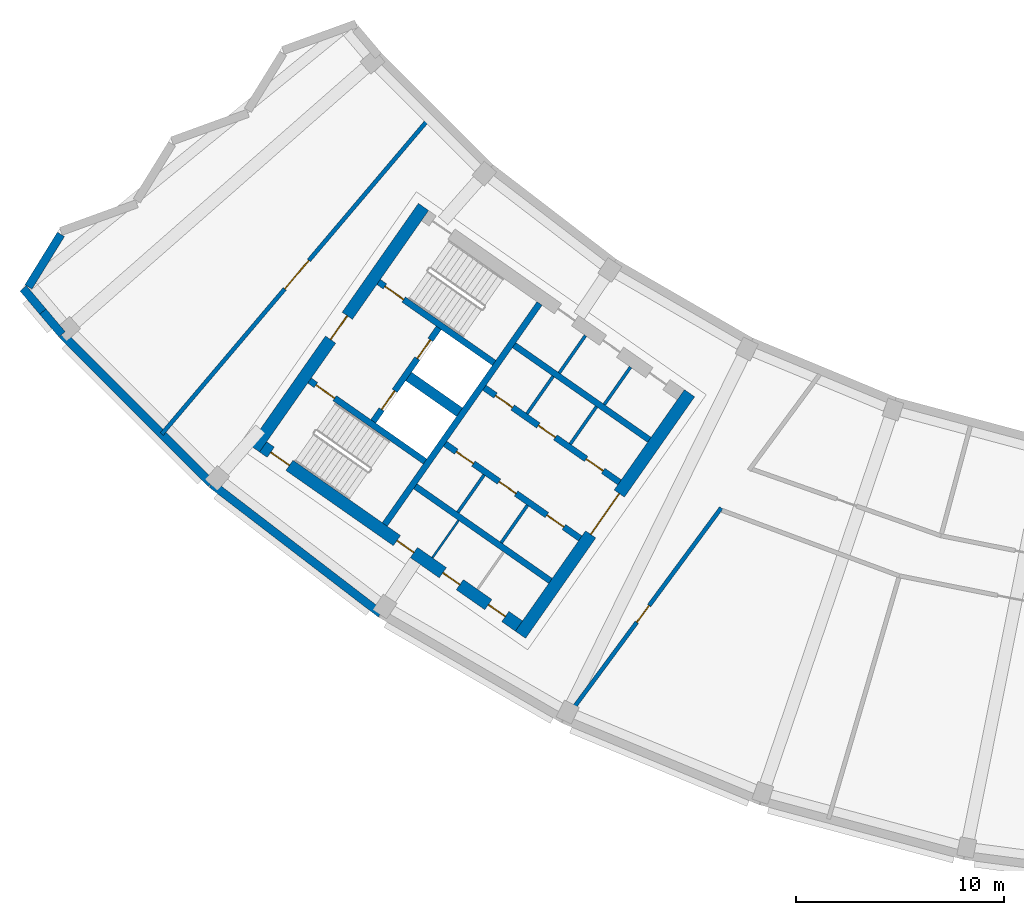
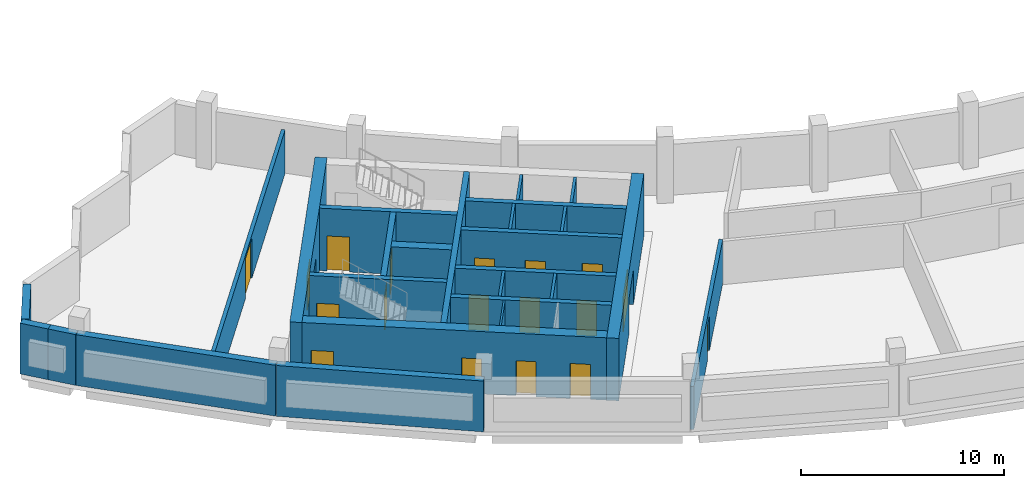
# One storey, part 3 of 11: 26 walls, 18 doors, 18 openings.
"""IFC4 building model written with IfcOpenShell, lengths in metres."""

from ifc_helpers import new_model, si_unit, direction, frame, frame_2d, origin, place, context, subcontext, project, spatial, rectangle, extrude, material, layer, layer_set, type_object, element, fill, save


model = new_model("IFC4")

# Units and contexts
model_context = context("Model", 3, precision=1e-05, world=origin(), true_north=direction((0.0, 1.0)))
body_context = subcontext(model_context, "Body", "Model", "MODEL_VIEW")
ifc_project = project(units=[si_unit("LENGTHUNIT", "METRE"), si_unit("AREAUNIT", "SQUARE_METRE"), si_unit("VOLUMEUNIT", "CUBIC_METRE"), si_unit("PLANEANGLEUNIT", "RADIAN"), si_unit("MASSUNIT", "GRAM", prefix="KILO")], contexts=[model_context])

# Site, building, storey
site_placement = place(None, origin())
site = spatial("IfcSite", under=ifc_project, at=site_placement, CompositionType="ELEMENT")
building_placement = place(site_placement, origin())
building = spatial("IfcBuilding", under=site, at=building_placement, Name="Qamariyya Broadcast Tower", CompositionType="ELEMENT")
storey_placement = place(building_placement, frame((0.0, 0.0, 294.699951171875)))
storey = spatial("IfcBuildingStorey", under=building, at=storey_placement, Name="L71", CompositionType="ELEMENT", Elevation=294.699951171875)

# Wall, opening, door
ifc_material_1 = material(Name="Concrete C60/75", Category="concrete")
ifc_layer_1 = layer(ifc_material_1, 0.60009765625)
ifc_layer_set_1 = layer_set([ifc_layer_1], Name="Core wall 600 mm Concrete C60/75")
wall_type_1 = type_object("IfcWallType", Name="Core wall 600 mm Concrete C60/75", PredefinedType="SHEAR", material=ifc_layer_set_1)
wall_1_placement = place(storey_placement, frame((-36.66748046875, -66.005126953125, 0.0), z_axis=(0.0, 0.0, 1.0), x_axis=(0.573568499524, 0.819157601658, 0.0)))
wall_1 = element("IfcWall", 1, at=wall_1_placement, inside=storey, type_object=wall_type_1, Name="k-W-L71-WA", PredefinedType="SHEAR", context=body_context, shape_type="SweptSolid", body=[
    extrude(rectangle(XDim=14.19970703125, YDim=0.60009765625, at=frame_2d((7.099853515625, 0.0))), origin(), (0.0, 0.0, 1.0), 3.75),
])
opening_1_placement = place(wall_1_placement, frame((5.89990234375, 0.0, 0.0)))
opening_1 = element("IfcOpeningElement", 2, at=opening_1_placement, cuts=wall_1, Name="Opening KD3-W1", PredefinedType="OPENING", context=body_context, shape_type="SweptSolid", body=[
    extrude(rectangle(XDim=2.39990234375, YDim=2.10009765625, at=frame_2d((1.199951171875, 1.050048828125))), frame((0.0, 0.31005859375, 0.0), z_axis=(0.0, -1.0, 0.0), x_axis=(1.0, 0.0, 0.0)), (0.0, 0.0, 1.0), 0.6201171875),
])
ifc_material_2 = material(Name="Steel fire-resisting door leaf", Category="steel")
door_type_1 = type_object("IfcDoorType", Name="Lift lobby door KD3", OperationType="DOUBLE_DOOR_SINGLE_SWING", PredefinedType="DOOR", material=ifc_material_2)
door_1_placement = place(opening_1_placement, origin())
door_1 = element("IfcDoor", 3, at=door_1_placement, inside=storey, type_object=door_type_1, Name="k-W-L71-WA-D1", OperationType="DOUBLE_DOOR_SINGLE_SWING", OverallHeight=2.10009765625, OverallWidth=2.39990234375, PredefinedType="DOOR", context=body_context, shape_type="SweptSolid", body=[
    extrude(rectangle(XDim=2.39990234375, YDim=2.10009765625, at=frame_2d((1.199951171875, 1.050048828125))), frame((0.0, 0.02490234375, 0.0), z_axis=(0.0, -1.0, 0.0), x_axis=(1.0, 0.0, 0.0)), (0.0, 0.0, 1.0), 0.050048828125),
])
fill(opening_1, door_1)

wall_2_placement = place(storey_placement, frame((-49.4833984375, -57.031494140625, 0.0), z_axis=(0.0, 0.0, 1.0), x_axis=(0.573560421458, 0.819163257805, 0.0)))
wall_2 = element("IfcWall", 4, at=wall_2_placement, inside=storey, type_object=wall_type_1, Name="k-W-L71-WH", PredefinedType="SHEAR", context=body_context, shape_type="SweptSolid", body=[
    extrude(rectangle(XDim=14.199951171875, YDim=0.60009765625, at=frame_2d((7.10009765625, 0.0))), origin(), (0.0, 0.0, 1.0), 3.75),
])
opening_2_placement = place(wall_2_placement, frame((6.39990234375, 0.0, 0.0)))
opening_2 = element("IfcOpeningElement", 5, at=opening_2_placement, cuts=wall_2, Name="Opening KD2-W1", PredefinedType="OPENING", context=body_context, shape_type="SweptSolid", body=[
    extrude(rectangle(XDim=1.39990234375, YDim=2.10009765625, at=frame_2d((0.699951171875, 1.050048828125))), frame((0.0, 0.31005859375, 0.0), z_axis=(0.0, -1.0, 0.0), x_axis=(1.0, 0.0, 0.0)), (0.0, 0.0, 1.0), 0.6201171875),
])
door_type_2 = type_object("IfcDoorType", Name="Fire-fighting lobby door KD2", OperationType="DOUBLE_DOOR_SINGLE_SWING", PredefinedType="DOOR", material=ifc_material_2)
door_2_placement = place(opening_2_placement, origin())
door_2 = element("IfcDoor", 6, at=door_2_placement, inside=storey, type_object=door_type_2, Name="k-W-L71-WH-D16", OperationType="DOUBLE_DOOR_SINGLE_SWING", OverallHeight=2.10009765625, OverallWidth=1.39990234375, PredefinedType="DOOR", context=body_context, shape_type="SweptSolid", body=[
    extrude(rectangle(XDim=1.39990234375, YDim=2.10009765625, at=frame_2d((0.699951171875, 1.050048828125))), frame((0.0, 0.02490234375, 0.0), z_axis=(0.0, -1.0, 0.0), x_axis=(1.0, 0.0, 0.0)), (0.0, 0.0, 1.0), 0.050048828125),
])
fill(opening_2, door_2)

# Wall, openings, doors
wall_3_placement = place(storey_placement, frame((-36.7412109375, -65.58740234375, 0.0), z_axis=(0.0, 0.0, 1.0), x_axis=(-0.819153391756, 0.573574511963, 0.0)))
wall_3 = element("IfcWall", 7, at=wall_3_placement, inside=storey, type_object=wall_type_1, Name="k-W-L71-WO", PredefinedType="SHEAR", context=body_context, shape_type="SweptSolid", body=[
    extrude(rectangle(XDim=15.04541015625, YDim=0.60009765625, at=frame_2d((7.522705078125, 0.0))), origin(), (0.0, 0.0, 1.0), 3.75),
])
opening_3_placement = place(wall_3_placement, frame((0.800048828125, 0.0, 0.0)))
opening_3 = element("IfcOpeningElement", 8, at=opening_3_placement, cuts=wall_3, Name="Opening KD4-W10", PredefinedType="OPENING", context=body_context, shape_type="SweptSolid", body=[
    extrude(rectangle(XDim=1.0, YDim=2.10009765625, at=frame_2d((0.5, 1.050048828125))), frame((0.0, 0.31005859375, 0.0), z_axis=(0.0, -1.0, 0.0), x_axis=(1.0, 0.0, 0.0)), (0.0, 0.0, 1.0), 0.6201171875),
])
opening_4_placement = place(wall_3_placement, frame((3.47509765625, 0.0, 0.0)))
opening_4 = element("IfcOpeningElement", 9, at=opening_4_placement, cuts=wall_3, Name="Opening KD4-W11", PredefinedType="OPENING", context=body_context, shape_type="SweptSolid", body=[
    extrude(rectangle(XDim=1.0, YDim=2.10009765625, at=frame_2d((0.5, 1.050048828125))), frame((0.0, 0.31005859375, 0.0), z_axis=(0.0, -1.0, 0.0), x_axis=(1.0, 0.0, 0.0)), (0.0, 0.0, 1.0), 0.6201171875),
])
opening_5_placement = place(wall_3_placement, frame((6.175048828125, 0.0, 0.0)))
opening_5 = element("IfcOpeningElement", 10, at=opening_5_placement, cuts=wall_3, Name="Opening KD4-W12", PredefinedType="OPENING", context=body_context, shape_type="SweptSolid", body=[
    extrude(rectangle(XDim=1.0, YDim=2.10009765625, at=frame_2d((0.5, 1.050048828125))), frame((0.0, 0.31005859375, 0.0), z_axis=(0.0, -1.0, 0.0), x_axis=(1.0, 0.0, 0.0)), (0.0, 0.0, 1.0), 0.6201171875),
])
opening_6_placement = place(wall_3_placement, frame((13.495361328125, 0.0, 0.0)))
opening_6 = element("IfcOpeningElement", 11, at=opening_6_placement, cuts=wall_3, Name="Opening KD1-W3", PredefinedType="OPENING", context=body_context, shape_type="SweptSolid", body=[
    extrude(rectangle(XDim=1.10009765625, YDim=2.10009765625, at=frame_2d((0.550048828125, 1.050048828125))), frame((0.0, 0.31005859375, 0.0), z_axis=(0.0, -1.0, 0.0), x_axis=(1.0, 0.0, 0.0)), (0.0, 0.0, 1.0), 0.6201171875),
])
door_type_3 = type_object("IfcDoorType", Name="Riser and plant door KD4", OperationType="SINGLE_SWING_LEFT", PredefinedType="DOOR", material=ifc_material_2)
door_3_placement = place(opening_3_placement, origin())
door_3 = element("IfcDoor", 12, at=door_3_placement, inside=storey, type_object=door_type_3, Name="k-W-L71-WO-D11", OperationType="SINGLE_SWING_RIGHT", OverallHeight=2.10009765625, OverallWidth=1.0, PredefinedType="DOOR", context=body_context, shape_type="SweptSolid", body=[
    extrude(rectangle(XDim=1.0, YDim=2.10009765625, at=frame_2d((0.5, 1.050048828125))), frame((0.0, 0.02490234375, 0.0), z_axis=(0.0, -1.0, 0.0), x_axis=(1.0, 0.0, 0.0)), (0.0, 0.0, 1.0), 0.050048828125),
])
fill(opening_3, door_3)
door_4_placement = place(opening_4_placement, origin())
door_4 = element("IfcDoor", 13, at=door_4_placement, inside=storey, type_object=door_type_3, Name="k-W-L71-WO-D12", OperationType="SINGLE_SWING_LEFT", OverallHeight=2.10009765625, OverallWidth=1.0, PredefinedType="DOOR", context=body_context, shape_type="SweptSolid", body=[
    extrude(rectangle(XDim=1.0, YDim=2.10009765625, at=frame_2d((0.5, 1.050048828125))), frame((0.0, 0.02490234375, 0.0), z_axis=(0.0, -1.0, 0.0), x_axis=(1.0, 0.0, 0.0)), (0.0, 0.0, 1.0), 0.050048828125),
])
fill(opening_4, door_4)
door_5_placement = place(opening_5_placement, origin())
door_5 = element("IfcDoor", 14, at=door_5_placement, inside=storey, type_object=door_type_3, Name="k-W-L71-WO-D13", OperationType="SINGLE_SWING_RIGHT", OverallHeight=2.10009765625, OverallWidth=1.0, PredefinedType="DOOR", context=body_context, shape_type="SweptSolid", body=[
    extrude(rectangle(XDim=1.0, YDim=2.10009765625, at=frame_2d((0.5, 1.050048828125))), frame((0.0, 0.02490234375, 0.0), z_axis=(0.0, -1.0, 0.0), x_axis=(1.0, 0.0, 0.0)), (0.0, 0.0, 1.0), 0.050048828125),
])
fill(opening_5, door_5)
door_type_4 = type_object("IfcDoorType", Name="Stair door KD1", OperationType="SINGLE_SWING_LEFT", PredefinedType="DOOR", material=ifc_material_2)
door_6_placement = place(opening_6_placement, origin())
door_6 = element("IfcDoor", 15, at=door_6_placement, inside=storey, type_object=door_type_4, Name="k-W-L71-WO-D19", OperationType="SINGLE_SWING_LEFT", OverallHeight=2.10009765625, OverallWidth=1.10009765625, PredefinedType="DOOR", context=body_context, shape_type="SweptSolid", body=[
    extrude(rectangle(XDim=1.10009765625, YDim=2.10009765625, at=frame_2d((0.550048828125, 1.050048828125))), frame((0.0, 0.02490234375, 0.0), z_axis=(0.0, -1.0, 0.0), x_axis=(1.0, 0.0, 0.0)), (0.0, 0.0, 1.0), 0.050048828125),
])
fill(opening_6, door_6)

# Walls
ifc_layer_2 = layer(ifc_material_1, 0.5)
ifc_layer_set_2 = layer_set([ifc_layer_2], Name="Fire-fighting lobby divider wall 500 mm Concrete C60/75")
wall_type_2 = type_object("IfcWallType", Name="Fire-fighting lobby divider wall 500 mm Concrete C60/75", PredefinedType="SOLIDWALL", material=ifc_layer_set_2)
wall_4_placement = place(storey_placement, frame((-39.59912109375, -55.28515625, 0.0), z_axis=(0.0, 0.0, 1.0), x_axis=(-0.819136323161, 0.573598887793, 0.0)))
element("IfcWall", 16, at=wall_4_placement, inside=storey, type_object=wall_type_2, Name="k-W-L71-FD", PredefinedType="SOLIDWALL", context=body_context, shape_type="SweptSolid", body=[
    extrude(rectangle(XDim=2.999755859375, YDim=0.5, at=frame_2d((1.5, 0.0))), origin(), (0.0, 0.0, 1.0), 3.75),
])
ifc_material_3 = material(Name="Gypsum board partition on steel studs", Category="steel")
ifc_layer_3 = layer(ifc_material_3, 0.14990234375)
ifc_layer_set_3 = layer_set([ifc_layer_3], Name="Gypsum board partition 150 mm")
wall_type_3 = type_object("IfcWallType", Name="Gypsum board partition 150 mm", PredefinedType="PARTITIONING", material=ifc_layer_set_3)
for number, where, z_axis, x_axis, name in (
    (17, (-34.26611328125, -56.822021484375, 0.0), (0.0, 0.0, 1.0), (0.573581496053, 0.819148501424, 0.0), "k-W-L71-NC300"),
    (18, (-36.35498046875, -55.359375, 0.0), (0.0, 0.0, 1.0), (0.573581496053, 0.819148501424, 0.0), "k-W-L71-NC555"),
):
    element("IfcWall", number, at=place(storey_placement, frame(where, z_axis=z_axis, x_axis=x_axis)), inside=storey, type_object=wall_type_3, Name=name, PredefinedType="PARTITIONING", context=body_context, shape_type="SweptSolid", body=[
        extrude(rectangle(XDim=2.2001953125, YDim=0.14990234375, at=frame_2d((1.10009765625, 0.0))), origin(), (0.0, 0.0, 1.0), 3.75),
    ])
for number, where, z_axis, x_axis, name in (
    (19, (-36.330810546875, -59.77099609375, 0.0), (0.0, 0.0, 1.0), (-0.573633636671, -0.819111989218, 0.0), "k-W-L71-SC300"),
    (20, (-38.419677734375, -58.308349609375, 0.0), (0.0, 0.0, 1.0), (-0.573633636671, -0.819111989218, 0.0), "k-W-L71-SC555"),
    (21, (-32.627197265625, -54.91748046875, 0.0), (0.0, 0.0, 1.0), (0.573507030513, 0.819200638399, 0.0), "k-W-L71-NP275"),
    (22, (-34.798095703125, -53.3974609375, 0.0), (0.0, 0.0, 1.0), (0.573633636671, 0.819111989218, 0.0), "k-W-L71-NP540"),
):
    element("IfcWall", number, at=place(storey_placement, frame(where, z_axis=z_axis, x_axis=x_axis)), inside=storey, type_object=wall_type_3, Name=name, PredefinedType="PARTITIONING", context=body_context, shape_type="SweptSolid", body=[
        extrude(rectangle(XDim=2.199951171875, YDim=0.14990234375, at=frame_2d((1.10009765625, 0.0))), origin(), (0.0, 0.0, 1.0), 3.75),
    ])
ifc_layer_4 = layer(ifc_material_1, 0.300048828125)
ifc_layer_set_4 = layer_set([ifc_layer_4], Name="Lift shaft wall 300 mm Concrete C60/75")
wall_type_4 = type_object("IfcWallType", Name="Lift shaft wall 300 mm Concrete C60/75", PredefinedType="SOLIDWALL", material=ifc_layer_set_4)
wall_5_placement = place(storey_placement, frame((-43.204345703125, -60.69580078125, 0.0), z_axis=(0.0, 0.0, 1.0), x_axis=(0.573571992966, 0.819155155563, 0.0)))
element("IfcWall", 23, at=wall_5_placement, inside=storey, type_object=wall_type_4, Name="k-W-L71-WL", PredefinedType="SOLIDWALL", context=body_context, shape_type="SweptSolid", body=[
    extrude(rectangle(XDim=13.000244140625, YDim=0.300048828125, at=frame_2d((6.5, 0.0))), origin(), (0.0, 0.0, 1.0), 3.75),
])

# Wall, openings, doors
wall_6_placement = place(storey_placement, frame((-31.89453125, -58.66552734375, 0.0), z_axis=(0.0, 0.0, 1.0), x_axis=(-0.819166993208, 0.573555086491, 0.0)))
wall_6 = element("IfcWall", 24, at=wall_6_placement, inside=storey, type_object=wall_type_4, Name="k-W-L71-NF0", PredefinedType="SOLIDWALL", context=body_context, shape_type="SweptSolid", body=[
    extrude(rectangle(XDim=7.9501953125, YDim=0.300048828125, at=frame_2d((3.97509765625, 0.0))), origin(), (0.0, 0.0, 1.0), 3.75),
])
opening_7_placement = place(wall_6_placement, frame((0.96240234375, 0.0, 0.0)))
opening_7 = element("IfcOpeningElement", 25, at=opening_7_placement, cuts=wall_6, Name="Opening KD4-W1", PredefinedType="OPENING", context=body_context, shape_type="SweptSolid", body=[
    extrude(rectangle(XDim=1.0, YDim=2.10009765625, at=frame_2d((0.5, 1.050048828125))), frame((0.0, 0.159912109375, 0.0), z_axis=(0.0, -1.0, 0.0), x_axis=(1.0, 0.0, 0.0)), (0.0, 0.0, 1.0), 0.320068359375),
])
opening_8_placement = place(wall_6_placement, frame((3.77490234375, 0.0, 0.0)))
opening_8 = element("IfcOpeningElement", 26, at=opening_8_placement, cuts=wall_6, Name="Opening KD4-W2", PredefinedType="OPENING", context=body_context, shape_type="SweptSolid", body=[
    extrude(rectangle(XDim=1.0, YDim=2.10009765625, at=frame_2d((0.5, 1.050048828125))), frame((0.0, 0.159912109375, 0.0), z_axis=(0.0, -1.0, 0.0), x_axis=(1.0, 0.0, 0.0)), (0.0, 0.0, 1.0), 0.320068359375),
])
opening_9_placement = place(wall_6_placement, frame((6.28759765625, 0.0, 0.0)))
opening_9 = element("IfcOpeningElement", 27, at=opening_9_placement, cuts=wall_6, Name="Opening KD4-W3", PredefinedType="OPENING", context=body_context, shape_type="SweptSolid", body=[
    extrude(rectangle(XDim=1.0, YDim=2.10009765625, at=frame_2d((0.5, 1.050048828125))), frame((0.0, 0.159912109375, 0.0), z_axis=(0.0, -1.0, 0.0), x_axis=(1.0, 0.0, 0.0)), (0.0, 0.0, 1.0), 0.320068359375),
])
door_7_placement = place(opening_7_placement, origin())
door_7 = element("IfcDoor", 28, at=door_7_placement, inside=storey, type_object=door_type_3, Name="k-W-L71-NF0-D2", OperationType="SINGLE_SWING_LEFT", OverallHeight=2.10009765625, OverallWidth=1.0, PredefinedType="DOOR", context=body_context, shape_type="SweptSolid", body=[
    extrude(rectangle(XDim=1.0, YDim=2.10009765625, at=frame_2d((0.5, 1.050048828125))), frame((0.0, 0.02490234375, 0.0), z_axis=(0.0, -1.0, 0.0), x_axis=(1.0, 0.0, 0.0)), (0.0, 0.0, 1.0), 0.050048828125),
])
fill(opening_7, door_7)
door_8_placement = place(opening_8_placement, origin())
door_8 = element("IfcDoor", 29, at=door_8_placement, inside=storey, type_object=door_type_3, Name="k-W-L71-NF0-D3", OperationType="SINGLE_SWING_RIGHT", OverallHeight=2.10009765625, OverallWidth=1.0, PredefinedType="DOOR", context=body_context, shape_type="SweptSolid", body=[
    extrude(rectangle(XDim=1.0, YDim=2.10009765625, at=frame_2d((0.5, 1.050048828125))), frame((0.0, 0.02490234375, 0.0), z_axis=(0.0, -1.0, 0.0), x_axis=(1.0, 0.0, 0.0)), (0.0, 0.0, 1.0), 0.050048828125),
])
fill(opening_8, door_8)
door_9_placement = place(opening_9_placement, origin())
door_9 = element("IfcDoor", 30, at=door_9_placement, inside=storey, type_object=door_type_3, Name="k-W-L71-NF0-D4", OperationType="SINGLE_SWING_LEFT", OverallHeight=2.10009765625, OverallWidth=1.0, PredefinedType="DOOR", context=body_context, shape_type="SweptSolid", body=[
    extrude(rectangle(XDim=1.0, YDim=2.10009765625, at=frame_2d((0.5, 1.050048828125))), frame((0.0, 0.02490234375, 0.0), z_axis=(0.0, -1.0, 0.0), x_axis=(1.0, 0.0, 0.0)), (0.0, 0.0, 1.0), 0.050048828125),
])
fill(opening_9, door_9)

# Wall
wall_7_placement = place(storey_placement, frame((-30.460693359375, -56.61767578125, 0.0), z_axis=(0.0, 0.0, 1.0), x_axis=(-0.819142461705, 0.573590121456, 0.0)))
element("IfcWall", 31, at=wall_7_placement, inside=storey, type_object=wall_type_4, Name="k-W-L71-NB0", PredefinedType="SOLIDWALL", context=body_context, shape_type="SweptSolid", body=[
    extrude(rectangle(XDim=7.949951171875, YDim=0.300048828125, at=frame_2d((3.97509765625, 0.0))), origin(), (0.0, 0.0, 1.0), 3.75),
])

# Wall, openings, doors
wall_8_placement = place(storey_placement, frame((-33.787353515625, -61.368896484375, 0.0), z_axis=(0.0, 0.0, 1.0), x_axis=(-0.819152564888, 0.573575692858, 0.0)))
wall_8 = element("IfcWall", 32, at=wall_8_placement, inside=storey, type_object=wall_type_4, Name="k-W-L71-SF0", PredefinedType="SOLIDWALL", context=body_context, shape_type="SweptSolid", body=[
    extrude(rectangle(XDim=7.9501953125, YDim=0.300048828125, at=frame_2d((3.97509765625, 0.0))), origin(), (0.0, 0.0, 1.0), 3.75),
])
opening_10_placement = place(wall_8_placement, frame((0.96240234375, 0.0, 0.0)))
opening_10 = element("IfcOpeningElement", 33, at=opening_10_placement, cuts=wall_8, Name="Opening KD4-W4", PredefinedType="OPENING", context=body_context, shape_type="SweptSolid", body=[
    extrude(rectangle(XDim=1.0, YDim=2.10009765625, at=frame_2d((0.5, 1.050048828125))), frame((0.0, 0.159912109375, 0.0), z_axis=(0.0, -1.0, 0.0), x_axis=(1.0, 0.0, 0.0)), (0.0, 0.0, 1.0), 0.320068359375),
])
opening_11_placement = place(wall_8_placement, frame((3.77490234375, 0.0, 0.0)))
opening_11 = element("IfcOpeningElement", 34, at=opening_11_placement, cuts=wall_8, Name="Opening KD4-W5", PredefinedType="OPENING", context=body_context, shape_type="SweptSolid", body=[
    extrude(rectangle(XDim=1.0, YDim=2.10009765625, at=frame_2d((0.5, 1.050048828125))), frame((0.0, 0.159912109375, 0.0), z_axis=(0.0, -1.0, 0.0), x_axis=(1.0, 0.0, 0.0)), (0.0, 0.0, 1.0), 0.320068359375),
])
opening_12_placement = place(wall_8_placement, frame((6.28759765625, 0.0, 0.0)))
opening_12 = element("IfcOpeningElement", 35, at=opening_12_placement, cuts=wall_8, Name="Opening KD4-W6", PredefinedType="OPENING", context=body_context, shape_type="SweptSolid", body=[
    extrude(rectangle(XDim=1.0, YDim=2.10009765625, at=frame_2d((0.5, 1.050048828125))), frame((0.0, 0.159912109375, 0.0), z_axis=(0.0, -1.0, 0.0), x_axis=(1.0, 0.0, 0.0)), (0.0, 0.0, 1.0), 0.320068359375),
])
door_10_placement = place(opening_10_placement, origin())
door_10 = element("IfcDoor", 36, at=door_10_placement, inside=storey, type_object=door_type_3, Name="k-W-L71-SF0-D5", OperationType="SINGLE_SWING_RIGHT", OverallHeight=2.10009765625, OverallWidth=1.0, PredefinedType="DOOR", context=body_context, shape_type="SweptSolid", body=[
    extrude(rectangle(XDim=1.0, YDim=2.10009765625, at=frame_2d((0.5, 1.050048828125))), frame((0.0, 0.02490234375, 0.0), z_axis=(0.0, -1.0, 0.0), x_axis=(1.0, 0.0, 0.0)), (0.0, 0.0, 1.0), 0.050048828125),
])
fill(opening_10, door_10)
door_11_placement = place(opening_11_placement, origin())
door_11 = element("IfcDoor", 37, at=door_11_placement, inside=storey, type_object=door_type_3, Name="k-W-L71-SF0-D6", OperationType="SINGLE_SWING_LEFT", OverallHeight=2.10009765625, OverallWidth=1.0, PredefinedType="DOOR", context=body_context, shape_type="SweptSolid", body=[
    extrude(rectangle(XDim=1.0, YDim=2.10009765625, at=frame_2d((0.5, 1.050048828125))), frame((0.0, 0.02490234375, 0.0), z_axis=(0.0, -1.0, 0.0), x_axis=(1.0, 0.0, 0.0)), (0.0, 0.0, 1.0), 0.050048828125),
])
fill(opening_11, door_11)
door_12_placement = place(opening_12_placement, origin())
door_12 = element("IfcDoor", 38, at=door_12_placement, inside=storey, type_object=door_type_3, Name="k-W-L71-SF0-D7", OperationType="SINGLE_SWING_RIGHT", OverallHeight=2.10009765625, OverallWidth=1.0, PredefinedType="DOOR", context=body_context, shape_type="SweptSolid", body=[
    extrude(rectangle(XDim=1.0, YDim=2.10009765625, at=frame_2d((0.5, 1.050048828125))), frame((0.0, 0.02490234375, 0.0), z_axis=(0.0, -1.0, 0.0), x_axis=(1.0, 0.0, 0.0)), (0.0, 0.0, 1.0), 0.050048828125),
])
fill(opening_12, door_12)

# Wall
wall_9_placement = place(storey_placement, frame((-35.22119140625, -63.41650390625, 0.0), z_axis=(0.0, 0.0, 1.0), x_axis=(-0.819166993208, 0.573555086491, 0.0)))
element("IfcWall", 39, at=wall_9_placement, inside=storey, type_object=wall_type_4, Name="k-W-L71-SB0", PredefinedType="SOLIDWALL", context=body_context, shape_type="SweptSolid", body=[
    extrude(rectangle(XDim=7.9501953125, YDim=0.300048828125, at=frame_2d((3.97509765625, 0.0))), origin(), (0.0, 0.0, 1.0), 3.75),
])

# Wall, opening, door
wall_10_placement = place(storey_placement, frame((-37.935546875, -52.90966796875, 0.0), z_axis=(0.0, 0.0, 1.0), x_axis=(-0.819147518138, 0.57358290031, 0.0)))
wall_10 = element("IfcWall", 40, at=wall_10_placement, inside=storey, type_object=wall_type_4, Name="k-W-L71-NW", PredefinedType="SOLIDWALL", context=body_context, shape_type="SweptSolid", body=[
    extrude(rectangle(XDim=6.79541015625, YDim=0.300048828125, at=frame_2d((3.397705078125, 0.0))), origin(), (0.0, 0.0, 1.0), 3.75),
])
opening_13_placement = place(wall_10_placement, frame((5.3203125, 0.0, 0.0)))
opening_13 = element("IfcOpeningElement", 41, at=opening_13_placement, cuts=wall_10, Name="Opening KD1-W2", PredefinedType="OPENING", context=body_context, shape_type="SweptSolid", body=[
    extrude(rectangle(XDim=1.10009765625, YDim=2.10009765625, at=frame_2d((0.550048828125, 1.050048828125))), frame((0.0, 0.159912109375, 0.0), z_axis=(0.0, -1.0, 0.0), x_axis=(1.0, 0.0, 0.0)), (0.0, 0.0, 1.0), 0.320068359375),
])
door_13_placement = place(opening_13_placement, origin())
door_13 = element("IfcDoor", 42, at=door_13_placement, inside=storey, type_object=door_type_4, Name="k-W-L71-NW-D18", OperationType="SINGLE_SWING_LEFT", OverallHeight=2.10009765625, OverallWidth=1.10009765625, PredefinedType="DOOR", context=body_context, shape_type="SweptSolid", body=[
    extrude(rectangle(XDim=1.10009765625, YDim=2.10009765625, at=frame_2d((0.550048828125, 1.050048828125))), frame((0.0, 0.02490234375, 0.0), z_axis=(0.0, -1.0, 0.0), x_axis=(1.0, 0.0, 0.0)), (0.0, 0.0, 1.0), 0.050048828125),
])
fill(opening_13, door_13)

wall_11_placement = place(storey_placement, frame((-41.262451171875, -57.66064453125, 0.0), z_axis=(0.0, 0.0, 1.0), x_axis=(-0.819164398642, 0.573558792102, 0.0)))
wall_11 = element("IfcWall", 43, at=wall_11_placement, inside=storey, type_object=wall_type_4, Name="k-W-L71-SW", PredefinedType="SOLIDWALL", context=body_context, shape_type="SweptSolid", body=[
    extrude(rectangle(XDim=6.795166015625, YDim=0.300048828125, at=frame_2d((3.3974609375, 0.0))), origin(), (0.0, 0.0, 1.0), 3.75),
])
opening_14_placement = place(wall_11_placement, frame((5.3203125, 0.0, 0.0)))
opening_14 = element("IfcOpeningElement", 44, at=opening_14_placement, cuts=wall_11, Name="Opening KD1-W4", PredefinedType="OPENING", context=body_context, shape_type="SweptSolid", body=[
    extrude(rectangle(XDim=1.10009765625, YDim=2.10009765625, at=frame_2d((0.550048828125, 1.050048828125))), frame((0.0, 0.159912109375, 0.0), z_axis=(0.0, -1.0, 0.0), x_axis=(1.0, 0.0, 0.0)), (0.0, 0.0, 1.0), 0.320068359375),
])
door_14_placement = place(opening_14_placement, origin())
door_14 = element("IfcDoor", 45, at=door_14_placement, inside=storey, type_object=door_type_4, Name="k-W-L71-SW-D20", OperationType="SINGLE_SWING_LEFT", OverallHeight=2.10009765625, OverallWidth=1.10009765625, PredefinedType="DOOR", context=body_context, shape_type="SweptSolid", body=[
    extrude(rectangle(XDim=1.10009765625, YDim=2.10009765625, at=frame_2d((0.550048828125, 1.050048828125))), frame((0.0, 0.02490234375, 0.0), z_axis=(0.0, -1.0, 0.0), x_axis=(1.0, 0.0, 0.0)), (0.0, 0.0, 1.0), 0.050048828125),
])
fill(opening_14, door_14)

# Wall, openings, doors
wall_12_placement = place(storey_placement, frame((-43.756591796875, -55.731201171875, 0.0), z_axis=(0.0, 0.0, 1.0), x_axis=(0.573536818435, 0.819179783625, 0.0)))
wall_12 = element("IfcWall", 46, at=wall_12_placement, inside=storey, type_object=wall_type_4, Name="k-W-L71-FF", PredefinedType="SOLIDWALL", context=body_context, shape_type="SweptSolid", body=[
    extrude(rectangle(XDim=5.500244140625, YDim=0.300048828125, at=frame_2d((2.75, 0.0))), origin(), (0.0, 0.0, 1.0), 3.75),
])
opening_15_placement = place(wall_12_placement, frame((0.699951171875, 0.0, 0.0)))
opening_15 = element("IfcOpeningElement", 47, at=opening_15_placement, cuts=wall_12, Name="Opening LD", PredefinedType="OPENING", context=body_context, shape_type="SweptSolid", body=[
    extrude(rectangle(XDim=1.10009765625, YDim=2.10009765625, at=frame_2d((0.550048828125, 1.050048828125))), frame((0.0, 0.159912109375, 0.0), z_axis=(0.0, -1.0, 0.0), x_axis=(1.0, 0.0, 0.0)), (0.0, 0.0, 1.0), 0.320068359375),
])
opening_16_placement = place(wall_12_placement, frame((3.699951171875, 0.0, 0.0)))
opening_16 = element("IfcOpeningElement", 48, at=opening_16_placement, cuts=wall_12, Name="Opening LD", PredefinedType="OPENING", context=body_context, shape_type="SweptSolid", body=[
    extrude(rectangle(XDim=1.10009765625, YDim=2.10009765625, at=frame_2d((0.550048828125, 1.050048828125))), frame((0.0, 0.159912109375, 0.0), z_axis=(0.0, -1.0, 0.0), x_axis=(1.0, 0.0, 0.0)), (0.0, 0.0, 1.0), 0.320068359375),
])
door_type_5 = type_object("IfcDoorType", Name="Lift landing door LD", OperationType="DOUBLE_DOOR_SLIDING", PredefinedType="DOOR", material=ifc_material_2)
door_15_placement = place(opening_15_placement, origin())
door_15 = element("IfcDoor", 49, at=door_15_placement, inside=storey, type_object=door_type_5, Name="k-W-L71-FF-D14", OperationType="DOUBLE_DOOR_SLIDING", OverallHeight=2.10009765625, OverallWidth=1.10009765625, PredefinedType="DOOR", context=body_context, shape_type="SweptSolid", body=[
    extrude(rectangle(XDim=1.10009765625, YDim=2.10009765625, at=frame_2d((0.550048828125, 1.050048828125))), frame((0.0, 0.02490234375, 0.0), z_axis=(0.0, -1.0, 0.0), x_axis=(1.0, 0.0, 0.0)), (0.0, 0.0, 1.0), 0.050048828125),
])
fill(opening_15, door_15)
door_16_placement = place(opening_16_placement, origin())
door_16 = element("IfcDoor", 50, at=door_16_placement, inside=storey, type_object=door_type_5, Name="k-W-L71-FF-D15", OperationType="DOUBLE_DOOR_SLIDING", OverallHeight=2.10009765625, OverallWidth=1.10009765625, PredefinedType="DOOR", context=body_context, shape_type="SweptSolid", body=[
    extrude(rectangle(XDim=1.10009765625, YDim=2.10009765625, at=frame_2d((0.550048828125, 1.050048828125))), frame((0.0, 0.02490234375, 0.0), z_axis=(0.0, -1.0, 0.0), x_axis=(1.0, 0.0, 0.0)), (0.0, 0.0, 1.0), 0.050048828125),
])
fill(opening_16, door_16)

# Wall, opening, door
ifc_material_4 = material(Name="Masonry block wall", Category="masonry")
ifc_layer_5 = layer(ifc_material_4, 0.199951171875)
ifc_layer_set_5 = layer_set([ifc_layer_5], Name="Plant room wall 200 EI 120")
wall_type_5 = type_object("IfcWallType", Name="Plant room wall 200 EI 120", PredefinedType="PARTITIONING", material=ifc_layer_set_5)
wall_13_placement = place(storey_placement, frame((-53.946044921875, -56.33837890625, 0.0), z_axis=(0.0, 0.0, 1.0), x_axis=(0.646426079671, 0.76297662056, 0.0)))
wall_13 = element("IfcWall", 51, at=wall_13_placement, inside=storey, type_object=wall_type_5, Name="Partition L71-001", PredefinedType="PARTITIONING", context=body_context, shape_type="SweptSolid", body=[
    extrude(rectangle(XDim=20.1259765625, YDim=0.199951171875, at=frame_2d((10.06298828125, 0.0))), origin(), (0.0, 0.0, 1.0), 2.60009765625),
])
opening_17_placement = place(wall_13_placement, frame((9.1630859375, 0.0, 0.0)))
opening_17 = element("IfcOpeningElement", 52, at=opening_17_placement, cuts=wall_13, Name="Opening L71-D11", PredefinedType="OPENING", context=body_context, shape_type="SweptSolid", body=[
    extrude(rectangle(XDim=1.800048828125, YDim=2.39990234375, at=frame_2d((0.89990234375, 1.199951171875))), frame((0.0, 0.10986328125, 0.0), z_axis=(0.0, -1.0, 0.0), x_axis=(1.0, 0.0, 0.0)), (0.0, 0.0, 1.0), 0.219970703125),
])
ifc_material_5 = material(Name="Insulated metal door leaf")
door_type_6 = type_object("IfcDoorType", Name="Plant double door 1800 x 2400 FD120", OperationType="NOTDEFINED", PredefinedType="DOOR", material=ifc_material_5)
door_17_placement = place(opening_17_placement, origin())
door_17 = element("IfcDoor", 53, at=door_17_placement, inside=storey, type_object=door_type_6, Name="Door L71-D11", OperationType="DOUBLE_DOOR_SINGLE_SWING", OverallHeight=2.39990234375, OverallWidth=1.800048828125, PredefinedType="DOOR", context=body_context, shape_type="SweptSolid", body=[
    extrude(rectangle(XDim=1.800048828125, YDim=2.39990234375, at=frame_2d((0.89990234375, 1.199951171875))), frame((0.0, 0.02490234375, 0.0), z_axis=(0.0, -1.0, 0.0), x_axis=(1.0, 0.0, 0.0)), (0.0, 0.0, 1.0), 0.050048828125),
])
fill(opening_17, door_17)

wall_14_placement = place(storey_placement, frame((-26.998046875, -59.89892578125, 0.0), z_axis=(0.0, 0.0, 1.0), x_axis=(-0.593866233023, -0.804563793167, 0.0)))
wall_14 = element("IfcWall", 54, at=wall_14_placement, inside=storey, type_object=wall_type_5, Name="Partition L71-002", PredefinedType="PARTITIONING", context=body_context, shape_type="SweptSolid", body=[
    extrude(rectangle(XDim=12.6904296875, YDim=0.199951171875, at=frame_2d((6.34521484375, 0.0))), origin(), (0.0, 0.0, 1.0), 2.60009765625),
])
opening_18_placement = place(wall_14_placement, frame((5.84521484375, 0.0, 0.0)))
opening_18 = element("IfcOpeningElement", 55, at=opening_18_placement, cuts=wall_14, Name="Opening L71-D01", PredefinedType="OPENING", context=body_context, shape_type="SweptSolid", body=[
    extrude(rectangle(XDim=1.0, YDim=2.10009765625, at=frame_2d((0.5, 1.050048828125))), frame((0.0, 0.10986328125, 0.0), z_axis=(0.0, -1.0, 0.0), x_axis=(1.0, 0.0, 0.0)), (0.0, 0.0, 1.0), 0.219970703125),
])
door_type_7 = type_object("IfcDoorType", Name="Plant door 1000 x 2100 FD120", OperationType="NOTDEFINED", PredefinedType="DOOR", material=ifc_material_5)
door_18_placement = place(opening_18_placement, origin())
door_18 = element("IfcDoor", 56, at=door_18_placement, inside=storey, type_object=door_type_7, Name="Door L71-D01", OperationType="SINGLE_SWING_RIGHT", OverallHeight=2.10009765625, OverallWidth=1.0, PredefinedType="DOOR", context=body_context, shape_type="SweptSolid", body=[
    extrude(rectangle(XDim=1.0, YDim=2.10009765625, at=frame_2d((0.5, 1.050048828125))), frame((0.0, 0.02490234375, 0.0), z_axis=(0.0, -1.0, 0.0), x_axis=(1.0, 0.0, 0.0)), (0.0, 0.0, 1.0), 0.050048828125),
])
fill(opening_18, door_18)

# Walls
ifc_material_6 = material(Name="Fire-rated gypsum shaft liner on steel studs", Category="steel")
ifc_layer_6 = layer(ifc_material_6, 0.10009765625)
ifc_layer_set_6 = layer_set([ifc_layer_6], Name="Riser wall 100 mm")
wall_type_6 = type_object("IfcWallType", Name="Riser wall 100 mm", PredefinedType="PLUMBINGWALL", material=ifc_layer_set_6)
wall_15_placement = place(storey_placement, frame((-39.64892578125, -60.49951171875, 0.0), z_axis=(0.0, 0.0, 1.0), x_axis=(-0.573507030513, -0.819200638399, 0.0)))
element("IfcWall", 57, at=wall_15_placement, inside=storey, type_object=wall_type_6, Name="k-W-L71-SP530", PredefinedType="PLUMBINGWALL", context=body_context, shape_type="SweptSolid", body=[
    extrude(rectangle(XDim=2.199951171875, YDim=0.10009765625, at=frame_2d((1.10009765625, 0.0))), origin(), (0.0, 0.0, 1.0), 3.75),
])
ifc_material_7 = material(Name="Terracotta", Category="masonry")
ifc_layer_7 = layer(ifc_material_7, 0.39990234375)
ifc_layer_set_7 = layer_set([ifc_layer_7], Name="Solid terracotta louvred band wall 400")
wall_type_7 = type_object("IfcWallType", Name="Solid terracotta louvred band wall 400", PredefinedType="SOLIDWALL", material=ifc_layer_set_7)
wall_16_placement = place(storey_placement, frame((-58.805419921875, -46.720458984375, 0.0), z_axis=(0.0, 0.0, 1.0), x_axis=(-0.525538284274, -0.850769952315, 0.0)))
element("IfcWall", 58, at=wall_16_placement, inside=storey, type_object=wall_type_7, Name="e-wl-L71-capW5", PredefinedType="SOLIDWALL", context=body_context, shape_type="SweptSolid", body=[
    extrude(rectangle(XDim=2.976318359375, YDim=0.39990234375, at=frame_2d((1.48828125, 0.0))), origin(), (0.0, 0.0, 1.0), 3.050048828125),
])
wall_17_placement = place(storey_placement, frame((-60.623046875, -49.3193359375, 0.0), z_axis=(0.0, 0.0, 1.0), x_axis=(0.645510358639, -0.763751515148, 0.0)))
element("IfcWall", 59, at=wall_17_placement, inside=storey, type_object=wall_type_7, Name="e-wl-L71-out00", PredefinedType="SOLIDWALL", context=body_context, shape_type="SweptSolid", body=[
    extrude(rectangle(XDim=1.47021484375, YDim=0.39990234375, at=frame_2d((0.735107421875, 0.0))), origin(), (0.0, 0.0, 1.0), 3.050048828125),
])
wall_18_placement = place(storey_placement, frame((-59.674072265625, -50.442138671875, 0.0), z_axis=(0.0, 0.0, 1.0), x_axis=(0.645651771062, -0.763631973221, 0.0)))
element("IfcWall", 60, at=wall_18_placement, inside=storey, type_object=wall_type_7, Name="e-wl-L71-out01", PredefinedType="SOLIDWALL", context=body_context, shape_type="SweptSolid", body=[
    extrude(rectangle(XDim=1.431884765625, YDim=0.39990234375, at=frame_2d((0.7158203125, 0.0))), origin(), (0.0, 0.0, 1.0), 3.050048828125),
])
wall_19_placement = place(storey_placement, frame((-58.737060546875, -51.546630859375, 0.0), z_axis=(0.0, 0.0, 1.0), x_axis=(0.707118813872, -0.707094748296, 0.0)))
element("IfcWall", 61, at=wall_19_placement, inside=storey, type_object=wall_type_7, Name="e-wl-L71-out10", PredefinedType="SOLIDWALL", context=body_context, shape_type="SweptSolid", body=[
    extrude(rectangle(XDim=10.144775390625, YDim=0.39990234375, at=frame_2d((5.072265625, 0.0))), origin(), (0.0, 0.0, 1.0), 3.050048828125),
])
wall_20_placement = place(storey_placement, frame((-51.54736328125, -58.74072265625, 0.0), z_axis=(0.0, 0.0, 1.0), x_axis=(0.793354972355, -0.608759302055, 0.0)))
element("IfcWall", 62, at=wall_20_placement, inside=storey, type_object=wall_type_7, Name="e-wl-L71-out20", PredefinedType="SOLIDWALL", context=body_context, shape_type="SweptSolid", body=[
    extrude(rectangle(XDim=10.2724609375, YDim=0.39990234375, at=frame_2d((5.13623046875, 0.0))), origin(), (0.0, 0.0, 1.0), 3.050048828125),
])

save(model, "model.ifc")
